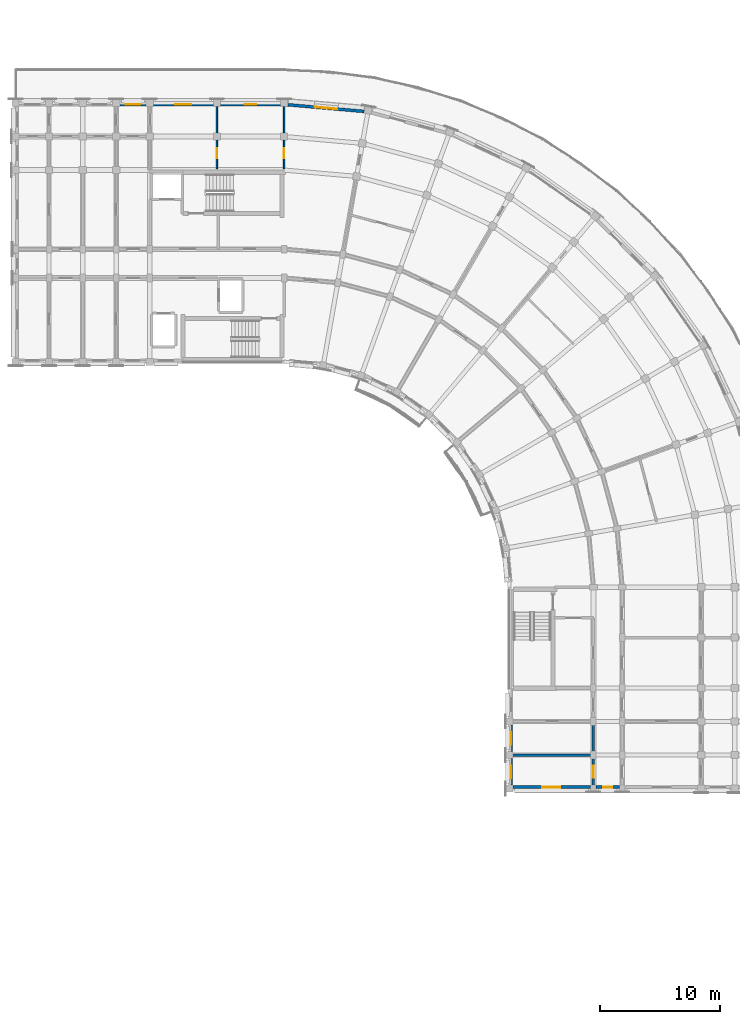
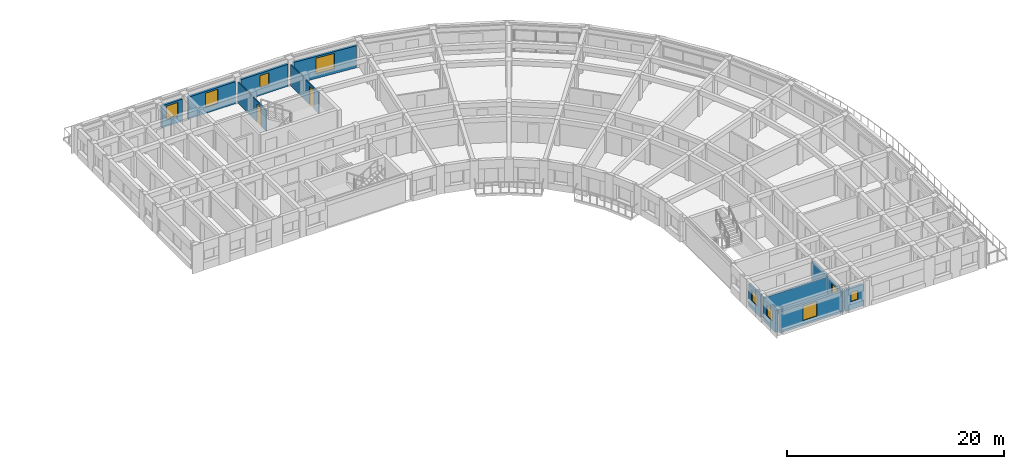
# One storey, part 24 of 41: 13 walls, 8 windows, 3 doors, 11 openings.
"""IFC4 building model written with IfcOpenShell, lengths in metres."""

from ifc_helpers import new_model, si_unit, direction, frame, frame_2d, origin, place, context, subcontext, project, spatial, rectangle, extrude, material, layer, layer_set, type_object, element, fill, save


model = new_model("IFC4")

# Units and contexts
model_context = context("Model", 3, precision=1e-05, world=origin(), true_north=direction((0.0, 1.0)))
body_context = subcontext(model_context, "Body", "Model", "MODEL_VIEW")
ifc_project = project(units=[si_unit("LENGTHUNIT", "METRE"), si_unit("AREAUNIT", "SQUARE_METRE"), si_unit("VOLUMEUNIT", "CUBIC_METRE"), si_unit("PLANEANGLEUNIT", "RADIAN"), si_unit("MASSUNIT", "GRAM", prefix="KILO")], contexts=[model_context])

# Site, building, storey
site_placement = place(None, origin())
site = spatial("IfcSite", under=ifc_project, at=site_placement, CompositionType="ELEMENT")
building_placement = place(site_placement, origin())
building = spatial("IfcBuilding", under=site, at=building_placement, Name="Kiranvali Square Residences", CompositionType="ELEMENT")
storey_placement = place(building_placement, frame((0.0, 0.0, 33.89990234375)))
storey = spatial("IfcBuildingStorey", under=building, at=storey_placement, Name="L10", CompositionType="ELEMENT", Elevation=33.89990234375)

# Wall
ifc_material_1 = material(Name="Autoclaved aerated concrete blockwork masonry", Category="masonry")
ifc_layer_1 = layer(ifc_material_1, 0.199951171875)
ifc_layer_set_1 = layer_set([ifc_layer_1], Name="Autoclaved aerated concrete blockwork masonry")
wall_type_1 = type_object("IfcWallType", Name="WL-COR-200", PredefinedType="STANDARD", material=ifc_layer_set_1)
wall_1_placement = place(storey_placement, frame((145.60009765625, 76.60009765625, 0.0), z_axis=(0.0, 0.0, 1.0), x_axis=(0.0, -1.0, 0.0)))
element("IfcWall", 1, at=wall_1_placement, inside=storey, type_object=wall_type_1, Name="L10 architectural wall WL-L10-B-A2CI-1", PredefinedType="STANDARD", context=body_context, shape_type="SweptSolid", body=[
    extrude(rectangle(XDim=2.800048828125, YDim=0.199951171875, at=frame_2d((1.39990234375, 0.0))), origin(), (0.0, 0.0, 1.0), 2.3720703125),
])

# Wall, opening, door
wall_2_placement = place(storey_placement, frame((145.60009765625, 73.800048828125, 0.0), z_axis=(0.0, 0.0, 1.0), x_axis=(0.0, -1.0, 0.0)))
wall_2 = element("IfcWall", 2, at=wall_2_placement, inside=storey, type_object=wall_type_1, Name="L10 architectural wall WL-L10-B-A2CI-2", PredefinedType="STANDARD", context=body_context, shape_type="SweptSolid", body=[
    extrude(rectangle(XDim=2.800048828125, YDim=0.199951171875, at=frame_2d((1.39990234375, 0.0))), origin(), (0.0, 0.0, 1.0), 2.3720703125),
])
opening_1_placement = place(wall_2_placement, frame((0.89990234375, 0.0, 0.0)))
opening_1 = element("IfcOpeningElement", 3, at=opening_1_placement, cuts=wall_2, Name="Opening FD-APT-60", PredefinedType="OPENING", context=body_context, shape_type="SweptSolid", body=[
    extrude(rectangle(XDim=1.0, YDim=2.14990234375, at=frame_2d((0.5, 1.074951171875))), frame((0.0, 0.10986328125, 0.0), z_axis=(0.0, -1.0, 0.0), x_axis=(1.0, 0.0, 0.0)), (0.0, 0.0, 1.0), 0.219970703125),
])
ifc_material_2 = material(Name="Fire-rated acoustic hardwood and mineral-core door assembly", Category="wood")
door_type_1 = type_object("IfcDoorType", Name="DR-APT-1000", OperationType="NOTDEFINED", PredefinedType="DOOR", material=ifc_material_2)
door_1_placement = place(opening_1_placement, frame((1.0, 0.0, 0.0), z_axis=(0.0, 0.0, 1.0), x_axis=(-1.0, 0.0, 0.0)))
door_1 = element("IfcDoor", 4, at=door_1_placement, inside=storey, type_object=door_type_1, Name="L10 door DR-L10-1630 (DR-APT-1000)", OperationType="SINGLE_SWING_RIGHT", OverallHeight=2.14990234375, OverallWidth=1.0, PredefinedType="DOOR", context=body_context, shape_type="SweptSolid", body=[
    extrude(rectangle(XDim=1.0, YDim=2.14990234375, at=frame_2d((0.5, 1.074951171875))), frame((0.0, 0.02490234375, 0.0), z_axis=(0.0, -1.0, 0.0), x_axis=(1.0, 0.0, 0.0)), (0.0, 0.0, 1.0), 0.050048828125),
])
fill(opening_1, door_1)

# Wall
ifc_layer_2 = layer(ifc_material_1, 0.219970703125)
ifc_layer_set_2 = layer_set([ifc_layer_2], Name="Autoclaved aerated concrete blockwork masonry")
wall_type_2 = type_object("IfcWallType", Name="WL-DEM-220", PredefinedType="STANDARD", material=ifc_layer_set_2)
wall_3_placement = place(storey_placement, frame((138.800048828125, 73.800048828125, 0.0), z_axis=(0.0, 0.0, 1.0), x_axis=(1.0, 0.0, 0.0)))
element("IfcWall", 5, at=wall_3_placement, inside=storey, type_object=wall_type_2, Name="L10 architectural wall WL-L10-B-A2TI-2", PredefinedType="STANDARD", context=body_context, shape_type="SweptSolid", body=[
    extrude(rectangle(XDim=6.75, YDim=0.219970703125, at=frame_2d((3.375, 0.0))), origin(), (0.0, 0.0, 1.0), 2.3720703125),
])

# Wall, opening, window
ifc_material_3 = material(Name="Breathable lime-rendered clay brick masonry", Category="masonry")
ifc_layer_3 = layer(ifc_material_3, 0.25)
ifc_layer_set_3 = layer_set([ifc_layer_3], Name="Breathable lime-rendered clay brick masonry")
wall_type_3 = type_object("IfcWallType", Name="WL-EXT-250", PredefinedType="STANDARD", material=ifc_layer_set_3)
wall_4_placement = place(storey_placement, frame((120.113525390625, 128.047119140625, 0.0), z_axis=(0.0, 0.0, 1.0), x_axis=(0.996192846662, -0.087176902101, 0.0)))
wall_4 = element("IfcWall", 6, at=wall_4_placement, inside=storey, type_object=wall_type_3, Name="L10 exterior wall B-L10-CRV-00", PredefinedType="STANDARD", context=body_context, shape_type="SweptSolid", body=[
    extrude(rectangle(XDim=6.390869140625, YDim=0.25, at=frame_2d((3.1953125, 0.0))), origin(), (0.0, 0.0, 1.0), 2.47998046875),
])
opening_2_placement = place(wall_4_placement, frame((2.245361328125, 0.0, 0.530029296875)))
opening_2 = element("IfcOpeningElement", 7, at=opening_2_placement, cuts=wall_4, Name="Opening W-21", PredefinedType="OPENING", context=body_context, shape_type="SweptSolid", body=[
    extrude(rectangle(XDim=1.89990234375, YDim=1.75, at=frame_2d((0.949951171875, 0.875))), frame((0.0, 0.135009765625, 0.0), z_axis=(0.0, -1.0, 0.0), x_axis=(1.0, 0.0, 0.0)), (0.0, 0.0, 1.0), 0.27001953125),
])
ifc_material_4 = material(Name="Solar-control low-e double glazing", Category="glass")
window_type_1 = type_object("IfcWindowType", Name="WIN-TER-1900x1750", PartitioningType="DOUBLE_PANEL_VERTICAL", PredefinedType="WINDOW", material=ifc_material_4)
window_1_placement = place(opening_2_placement, origin())
window_1 = element("IfcWindow", 8, at=window_1_placement, inside=storey, type_object=window_type_1, Name="L10 recessed window B-L10-CRV-00", OverallHeight=1.75, OverallWidth=1.89990234375, PartitioningType="DOUBLE_PANEL_VERTICAL", PredefinedType="WINDOW", context=body_context, shape_type="SweptSolid", body=[
    extrude(rectangle(XDim=1.89990234375, YDim=1.75, at=frame_2d((0.949951171875, 0.875))), frame((0.0, 0.030029296875, 0.0), z_axis=(0.0, -1.0, 0.0), x_axis=(1.0, 0.0, 0.0)), (0.0, 0.0, 1.0), 0.06005859375),
])
fill(opening_2, window_1)

wall_5_placement = place(storey_placement, frame((119.49658203125, 128.074951171875, 0.0), z_axis=(0.0, 0.0, 1.0), x_axis=(-1.0, 0.0, 0.0)))
wall_5 = element("IfcWall", 9, at=wall_5_placement, inside=storey, type_object=wall_type_3, Name="L10 exterior wall B-L10-A1O-0", PredefinedType="STANDARD", context=body_context, shape_type="SweptSolid", body=[
    extrude(rectangle(XDim=4.9931640625, YDim=0.25, at=frame_2d((2.49658203125, 0.0))), origin(), (0.0, 0.0, 1.0), 2.47998046875),
])
opening_3_placement = place(wall_5_placement, frame((2.021484375, 0.0, 0.8798828125)))
opening_3 = element("IfcOpeningElement", 10, at=opening_3_placement, cuts=wall_5, Name="Opening W-16", PredefinedType="OPENING", context=body_context, shape_type="SweptSolid", body=[
    extrude(rectangle(XDim=0.949951171875, YDim=1.35009765625, at=frame_2d((0.47509765625, 0.675048828125))), frame((0.0, 0.135009765625, 0.0), z_axis=(0.0, -1.0, 0.0), x_axis=(1.0, 0.0, 0.0)), (0.0, 0.0, 1.0), 0.27001953125),
])
window_type_2 = type_object("IfcWindowType", Name="WIN-RES-950x1350", PartitioningType="SINGLE_PANEL", PredefinedType="WINDOW", material=ifc_material_4)
window_2_placement = place(opening_3_placement, origin())
window_2 = element("IfcWindow", 11, at=window_2_placement, inside=storey, type_object=window_type_2, Name="L10 recessed window B-L10-A1O-0", OverallHeight=1.35009765625, OverallWidth=0.949951171875, PartitioningType="SINGLE_PANEL", PredefinedType="WINDOW", context=body_context, shape_type="SweptSolid", body=[
    extrude(rectangle(XDim=0.949951171875, YDim=1.35009765625, at=frame_2d((0.47509765625, 0.675048828125))), frame((0.0, 0.030029296875, 0.0), z_axis=(0.0, -1.0, 0.0), x_axis=(1.0, 0.0, 0.0)), (0.0, 0.0, 1.0), 0.06005859375),
])
fill(opening_3, window_2)

wall_6_placement = place(storey_placement, frame((113.896484375, 128.074951171875, 0.0), z_axis=(0.0, 0.0, 1.0), x_axis=(-1.0, 0.0, 0.0)))
wall_6 = element("IfcWall", 12, at=wall_6_placement, inside=storey, type_object=wall_type_3, Name="L10 exterior wall B-L10-A1O-1", PredefinedType="STANDARD", context=body_context, shape_type="SweptSolid", body=[
    extrude(rectangle(XDim=4.992919921875, YDim=0.25, at=frame_2d((2.49658203125, 0.0))), origin(), (0.0, 0.0, 1.0), 2.47998046875),
])
opening_4_placement = place(wall_6_placement, frame((1.821533203125, 0.0, 0.679931640625)))
opening_4 = element("IfcOpeningElement", 13, at=opening_4_placement, cuts=wall_6, Name="Opening W-14", PredefinedType="OPENING", context=body_context, shape_type="SweptSolid", body=[
    extrude(rectangle(XDim=1.35009765625, YDim=1.60009765625, at=frame_2d((0.675048828125, 0.800048828125))), frame((0.0, 0.135009765625, 0.0), z_axis=(0.0, -1.0, 0.0), x_axis=(1.0, 0.0, 0.0)), (0.0, 0.0, 1.0), 0.27001953125),
])
window_type_3 = type_object("IfcWindowType", Name="WIN-RES-1350x1600", PartitioningType="DOUBLE_PANEL_VERTICAL", PredefinedType="WINDOW", material=ifc_material_4)
window_3_placement = place(opening_4_placement, origin())
window_3 = element("IfcWindow", 14, at=window_3_placement, inside=storey, type_object=window_type_3, Name="L10 recessed window B-L10-A1O-1", OverallHeight=1.60009765625, OverallWidth=1.35009765625, PartitioningType="DOUBLE_PANEL_VERTICAL", PredefinedType="WINDOW", context=body_context, shape_type="SweptSolid", body=[
    extrude(rectangle(XDim=1.35009765625, YDim=1.60009765625, at=frame_2d((0.675048828125, 0.800048828125))), frame((0.0, 0.030029296875, 0.0), z_axis=(0.0, -1.0, 0.0), x_axis=(1.0, 0.0, 0.0)), (0.0, 0.0, 1.0), 0.06005859375),
])
fill(opening_4, window_3)

wall_7_placement = place(storey_placement, frame((108.29638671875, 128.074951171875, 0.0), z_axis=(0.0, 0.0, 1.0), x_axis=(-1.0, 0.0, 0.0)))
wall_7 = element("IfcWall", 15, at=wall_7_placement, inside=storey, type_object=wall_type_3, Name="L10 exterior wall B-L10-A1O-2", PredefinedType="STANDARD", context=body_context, shape_type="SweptSolid", body=[
    extrude(rectangle(XDim=2.19287109375, YDim=0.25, at=frame_2d((1.096435546875, 0.0))), origin(), (0.0, 0.0, 1.0), 2.47998046875),
])
opening_5_placement = place(wall_7_placement, frame((0.49658203125, 0.0, 0.780029296875)))
opening_5 = element("IfcOpeningElement", 16, at=opening_5_placement, cuts=wall_7, Name="Opening W-06", PredefinedType="OPENING", context=body_context, shape_type="SweptSolid", body=[
    extrude(rectangle(XDim=1.199951171875, YDim=1.5, at=frame_2d((0.60009765625, 0.75))), frame((0.0, 0.135009765625, 0.0), z_axis=(0.0, -1.0, 0.0), x_axis=(1.0, 0.0, 0.0)), (0.0, 0.0, 1.0), 0.27001953125),
])
window_type_4 = type_object("IfcWindowType", Name="WIN-RES-1200x1500", PartitioningType="SINGLE_PANEL", PredefinedType="WINDOW", material=ifc_material_4)
window_4_placement = place(opening_5_placement, origin())
window_4 = element("IfcWindow", 17, at=window_4_placement, inside=storey, type_object=window_type_4, Name="L10 recessed window B-L10-A1O-2", OverallHeight=1.5, OverallWidth=1.199951171875, PartitioningType="SINGLE_PANEL", PredefinedType="WINDOW", context=body_context, shape_type="SweptSolid", body=[
    extrude(rectangle(XDim=1.199951171875, YDim=1.5, at=frame_2d((0.60009765625, 0.75))), frame((0.0, 0.030029296875, 0.0), z_axis=(0.0, -1.0, 0.0), x_axis=(1.0, 0.0, 0.0)), (0.0, 0.0, 1.0), 0.06005859375),
])
fill(opening_5, window_4)

wall_8_placement = place(storey_placement, frame((138.72509765625, 76.29638671875, 0.0), z_axis=(0.0, 0.0, 1.0), x_axis=(0.0, -1.0, 0.0)))
wall_8 = element("IfcWall", 18, at=wall_8_placement, inside=storey, type_object=wall_type_3, Name="L10 exterior wall B-L10-A2I-1", PredefinedType="STANDARD", context=body_context, shape_type="SweptSolid", body=[
    extrude(rectangle(XDim=2.19287109375, YDim=0.25, at=frame_2d((1.096435546875, 0.0))), origin(), (0.0, 0.0, 1.0), 2.47216796875),
])
opening_6_placement = place(wall_8_placement, frame((0.571533203125, 0.0, 0.8798828125)))
opening_6 = element("IfcOpeningElement", 19, at=opening_6_placement, cuts=wall_8, Name="Opening W-24", PredefinedType="OPENING", context=body_context, shape_type="SweptSolid", body=[
    extrude(rectangle(XDim=1.050048828125, YDim=1.25, at=frame_2d((0.52490234375, 0.625))), frame((0.0, 0.135009765625, 0.0), z_axis=(0.0, -1.0, 0.0), x_axis=(1.0, 0.0, 0.0)), (0.0, 0.0, 1.0), 0.27001953125),
])
window_type_5 = type_object("IfcWindowType", Name="WIN-COR-1050x1250", PartitioningType="SINGLE_PANEL", PredefinedType="WINDOW", material=ifc_material_4)
window_5_placement = place(opening_6_placement, origin())
window_5 = element("IfcWindow", 20, at=window_5_placement, inside=storey, type_object=window_type_5, Name="L10 recessed window B-L10-A2I-1", OverallHeight=1.25, OverallWidth=1.050048828125, PartitioningType="SINGLE_PANEL", PredefinedType="WINDOW", context=body_context, shape_type="SweptSolid", body=[
    extrude(rectangle(XDim=1.050048828125, YDim=1.25, at=frame_2d((0.52490234375, 0.625))), frame((0.0, 0.030029296875, 0.0), z_axis=(0.0, -1.0, 0.0), x_axis=(1.0, 0.0, 0.0)), (0.0, 0.0, 1.0), 0.06005859375),
])
fill(opening_6, window_5)

wall_9_placement = place(storey_placement, frame((138.72509765625, 73.49658203125, 0.0), z_axis=(0.0, 0.0, 1.0), x_axis=(0.0, -1.0, 0.0)))
wall_9 = element("IfcWall", 21, at=wall_9_placement, inside=storey, type_object=wall_type_3, Name="L10 exterior wall B-L10-A2I-2", PredefinedType="STANDARD", context=body_context, shape_type="SweptSolid", body=[
    extrude(rectangle(XDim=2.193115234375, YDim=0.25, at=frame_2d((1.0966796875, 0.0))), origin(), (0.0, 0.0, 1.0), 2.47216796875),
])
opening_7_placement = place(wall_9_placement, frame((0.571533203125, 0.0, 0.8798828125)))
opening_7 = element("IfcOpeningElement", 22, at=opening_7_placement, cuts=wall_9, Name="Opening W-24", PredefinedType="OPENING", context=body_context, shape_type="SweptSolid", body=[
    extrude(rectangle(XDim=1.050048828125, YDim=1.25, at=frame_2d((0.52490234375, 0.625))), frame((0.0, 0.135009765625, 0.0), z_axis=(0.0, -1.0, 0.0), x_axis=(1.0, 0.0, 0.0)), (0.0, 0.0, 1.0), 0.27001953125),
])
window_6_placement = place(opening_7_placement, origin())
window_6 = element("IfcWindow", 23, at=window_6_placement, inside=storey, type_object=window_type_5, Name="L10 recessed window B-L10-A2I-2", OverallHeight=1.25, OverallWidth=1.050048828125, PartitioningType="SINGLE_PANEL", PredefinedType="WINDOW", context=body_context, shape_type="SweptSolid", body=[
    extrude(rectangle(XDim=1.050048828125, YDim=1.25, at=frame_2d((0.52490234375, 0.625))), frame((0.0, 0.030029296875, 0.0), z_axis=(0.0, -1.0, 0.0), x_axis=(1.0, 0.0, 0.0)), (0.0, 0.0, 1.0), 0.06005859375),
])
fill(opening_7, window_6)

wall_10_placement = place(storey_placement, frame((138.903564453125, 71.125, 0.0), z_axis=(0.0, 0.0, 1.0), x_axis=(1.0, 0.0, 0.0)))
wall_10 = element("IfcWall", 24, at=wall_10_placement, inside=storey, type_object=wall_type_3, Name="L10 exterior wall B-L10-A2END-0", PredefinedType="STANDARD", context=body_context, shape_type="SweptSolid", body=[
    extrude(rectangle(XDim=6.468017578125, YDim=0.25, at=frame_2d((3.23388671875, 0.0))), origin(), (0.0, 0.0, 1.0), 2.3720703125),
])
opening_8_placement = place(wall_10_placement, frame((2.446533203125, 0.0, 0.52197265625)))
opening_8 = element("IfcOpeningElement", 25, at=opening_8_placement, cuts=wall_10, Name="Opening W-05", PredefinedType="OPENING", context=body_context, shape_type="SweptSolid", body=[
    extrude(rectangle(XDim=1.5, YDim=1.64990234375, at=frame_2d((0.75, 0.824951171875))), frame((0.0, 0.135009765625, 0.0), z_axis=(0.0, -1.0, 0.0), x_axis=(1.0, 0.0, 0.0)), (0.0, 0.0, 1.0), 0.27001953125),
])
window_type_6 = type_object("IfcWindowType", Name="WIN-RES-1500x1650", PartitioningType="DOUBLE_PANEL_VERTICAL", PredefinedType="WINDOW", material=ifc_material_4)
window_7_placement = place(opening_8_placement, origin())
window_7 = element("IfcWindow", 26, at=window_7_placement, inside=storey, type_object=window_type_6, Name="L10 recessed window B-L10-A2END-0", OverallHeight=1.64990234375, OverallWidth=1.5, PartitioningType="DOUBLE_PANEL_VERTICAL", PredefinedType="WINDOW", context=body_context, shape_type="SweptSolid", body=[
    extrude(rectangle(XDim=1.5, YDim=1.64990234375, at=frame_2d((0.75, 0.824951171875))), frame((0.0, 0.030029296875, 0.0), z_axis=(0.0, -1.0, 0.0), x_axis=(1.0, 0.0, 0.0)), (0.0, 0.0, 1.0), 0.06005859375),
])
fill(opening_8, window_7)

wall_11_placement = place(storey_placement, frame((145.82861328125, 71.125, 0.0), z_axis=(0.0, 0.0, 1.0), x_axis=(1.0, 0.0, 0.0)))
wall_11 = element("IfcWall", 27, at=wall_11_placement, inside=storey, type_object=wall_type_3, Name="L10 exterior wall B-L10-A2END-1", PredefinedType="STANDARD", context=body_context, shape_type="SweptSolid", body=[
    extrude(rectangle(XDim=1.94287109375, YDim=0.25, at=frame_2d((0.971435546875, 0.0))), origin(), (0.0, 0.0, 1.0), 2.3720703125),
])
opening_9_placement = place(wall_11_placement, frame((0.596435546875, 0.0, 0.8798828125)))
opening_9 = element("IfcOpeningElement", 28, at=opening_9_placement, cuts=wall_11, Name="Opening W-07", PredefinedType="OPENING", context=body_context, shape_type="SweptSolid", body=[
    extrude(rectangle(XDim=0.75, YDim=1.050048828125, at=frame_2d((0.375, 0.52490234375))), frame((0.0, 0.135009765625, 0.0), z_axis=(0.0, -1.0, 0.0), x_axis=(1.0, 0.0, 0.0)), (0.0, 0.0, 1.0), 0.27001953125),
])
window_type_7 = type_object("IfcWindowType", Name="WIN-WET-750x1050", PartitioningType="SINGLE_PANEL", PredefinedType="WINDOW", material=ifc_material_4)
window_8_placement = place(opening_9_placement, origin())
window_8 = element("IfcWindow", 29, at=window_8_placement, inside=storey, type_object=window_type_7, Name="L10 recessed window B-L10-A2END-1", OverallHeight=1.050048828125, OverallWidth=0.75, PartitioningType="SINGLE_PANEL", PredefinedType="WINDOW", context=body_context, shape_type="SweptSolid", body=[
    extrude(rectangle(XDim=0.75, YDim=1.050048828125, at=frame_2d((0.375, 0.52490234375))), frame((0.0, 0.030029296875, 0.0), z_axis=(0.0, -1.0, 0.0), x_axis=(1.0, 0.0, 0.0)), (0.0, 0.0, 1.0), 0.06005859375),
])
fill(opening_9, window_8)

# Wall, opening, door
ifc_material_5 = material(Name="Acoustic gypsum board drylined partition", Category="gypsum")
ifc_layer_4 = layer(ifc_material_5, 0.125)
ifc_layer_set_4 = layer_set([ifc_layer_4], Name="Acoustic gypsum board drylined partition")
wall_type_4 = type_object("IfcWallType", Name="WL-PRT-125", PredefinedType="PARTITIONING", material=ifc_layer_set_4)
wall_12_placement = place(storey_placement, frame((114.199951171875, 122.699951171875, 0.0), z_axis=(0.0, 0.0, 1.0), x_axis=(0.0, 1.0, 0.0)))
wall_12 = element("IfcWall", 30, at=wall_12_placement, inside=storey, type_object=wall_type_4, Name="L10 architectural wall WL-L10-B-CF-MID", PredefinedType="PARTITIONING", context=body_context, shape_type="SweptSolid", body=[
    extrude(rectangle(XDim=5.219970703125, YDim=0.125, at=frame_2d((2.60986328125, 0.0))), origin(), (0.0, 0.0, 1.0), 2.3720703125),
])
opening_10_placement = place(wall_12_placement, frame((0.899658203125, 0.0, 0.0)))
opening_10 = element("IfcOpeningElement", 31, at=opening_10_placement, cuts=wall_12, Name="Opening ID-WET", PredefinedType="OPENING", context=body_context, shape_type="SweptSolid", body=[
    extrude(rectangle(XDim=0.800048828125, YDim=2.10009765625, at=frame_2d((0.39990234375, 1.050048828125))), frame((0.0, 0.072509765625, 0.0), z_axis=(0.0, -1.0, 0.0), x_axis=(1.0, 0.0, 0.0)), (0.0, 0.0, 1.0), 0.14501953125),
])
ifc_material_6 = material(Name="Solid seasoned teak hardwood joinery", Category="wood")
door_type_2 = type_object("IfcDoorType", Name="DR-WET-800", OperationType="NOTDEFINED", PredefinedType="DOOR", material=ifc_material_6)
door_2_placement = place(opening_10_placement, frame((0.800048828125, 0.0, 0.0), z_axis=(0.0, 0.0, 1.0), x_axis=(-1.0, 0.0, 0.0)))
door_2 = element("IfcDoor", 32, at=door_2_placement, inside=storey, type_object=door_type_2, Name="L10 door DR-L10-1588 (DR-WET-800)", OperationType="SINGLE_SWING_RIGHT", OverallHeight=2.10009765625, OverallWidth=0.800048828125, PredefinedType="DOOR", context=body_context, shape_type="SweptSolid", body=[
    extrude(rectangle(XDim=0.800048828125, YDim=2.10009765625, at=frame_2d((0.39990234375, 1.050048828125))), frame((0.0, 0.02490234375, 0.0), z_axis=(0.0, -1.0, 0.0), x_axis=(1.0, 0.0, 0.0)), (0.0, 0.0, 1.0), 0.050048828125),
])
fill(opening_10, door_2)

wall_13_placement = place(storey_placement, frame((119.800048828125, 122.699951171875, 0.0), z_axis=(0.0, 0.0, 1.0), x_axis=(0.0, 1.0, 0.0)))
wall_13 = element("IfcWall", 33, at=wall_13_placement, inside=storey, type_object=wall_type_4, Name="L10 architectural wall WL-L10-B-RADO-0", PredefinedType="PARTITIONING", context=body_context, shape_type="SweptSolid", body=[
    extrude(rectangle(XDim=5.219970703125, YDim=0.125, at=frame_2d((2.60986328125, 0.0))), origin(), (0.0, 0.0, 1.0), 2.3720703125),
])
opening_11_placement = place(wall_13_placement, frame((0.899658203125, 0.0, 0.0)))
opening_11 = element("IfcOpeningElement", 34, at=opening_11_placement, cuts=wall_13, Name="Opening ID-WET", PredefinedType="OPENING", context=body_context, shape_type="SweptSolid", body=[
    extrude(rectangle(XDim=0.800048828125, YDim=2.10009765625, at=frame_2d((0.39990234375, 1.050048828125))), frame((0.0, 0.072509765625, 0.0), z_axis=(0.0, -1.0, 0.0), x_axis=(1.0, 0.0, 0.0)), (0.0, 0.0, 1.0), 0.14501953125),
])
door_3_placement = place(opening_11_placement, frame((0.800048828125, 0.0, 0.0), z_axis=(0.0, 0.0, 1.0), x_axis=(-1.0, 0.0, 0.0)))
door_3 = element("IfcDoor", 35, at=door_3_placement, inside=storey, type_object=door_type_2, Name="L10 door DR-L10-1604 (DR-WET-800)", OperationType="SINGLE_SWING_RIGHT", OverallHeight=2.10009765625, OverallWidth=0.800048828125, PredefinedType="DOOR", context=body_context, shape_type="SweptSolid", body=[
    extrude(rectangle(XDim=0.800048828125, YDim=2.10009765625, at=frame_2d((0.39990234375, 1.050048828125))), frame((0.0, 0.02490234375, 0.0), z_axis=(0.0, -1.0, 0.0), x_axis=(1.0, 0.0, 0.0)), (0.0, 0.0, 1.0), 0.050048828125),
])
fill(opening_11, door_3)

save(model, "model.ifc")
